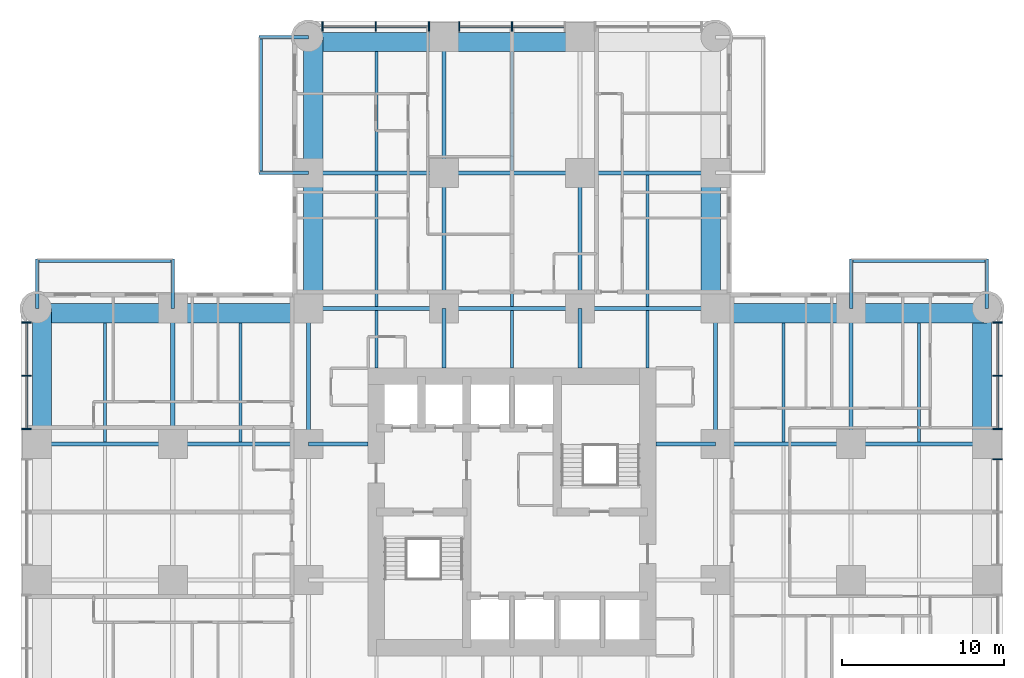
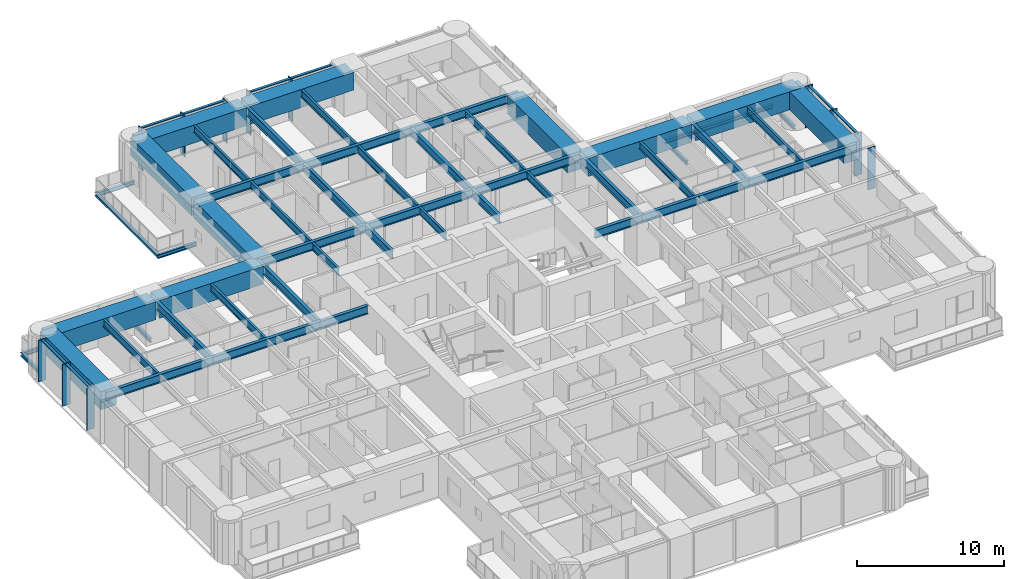
# One storey, part 4 of 17: 53 beams, 20 members, 3 elements without a shape of their own.
"""IFC4 building model written with IfcOpenShell, lengths in metres."""

from ifc_helpers import new_model, si_unit, direction, frame, origin, origin_2d, place, context, subcontext, project, spatial, rectangle, i_section, extrude, material, material_profile, profile_set, type_object, element, aggregate, save


model = new_model("IFC4")

# Units and contexts
model_context = context("Model", 3, precision=1e-05, world=origin(), true_north=direction((0.0, 1.0)))
body_context = subcontext(model_context, "Body", "Model", "MODEL_VIEW")
ifc_project = project(units=[si_unit("LENGTHUNIT", "METRE"), si_unit("AREAUNIT", "SQUARE_METRE"), si_unit("VOLUMEUNIT", "CUBIC_METRE"), si_unit("PLANEANGLEUNIT", "RADIAN"), si_unit("MASSUNIT", "GRAM", prefix="KILO")], contexts=[model_context])

# Site, building, storey
site_placement = place(None, origin())
site = spatial("IfcSite", under=ifc_project, at=site_placement, CompositionType="ELEMENT")
building_placement = place(site_placement, origin())
building = spatial("IfcBuilding", under=site, at=building_placement, Name="Torre Alcanfor", CompositionType="ELEMENT")
storey_placement = place(building_placement, frame((0.0, 0.0, 70.5)))
storey = spatial("IfcBuildingStorey", under=building, at=storey_placement, Name="L17", CompositionType="ELEMENT", Elevation=70.5)

# Beams
ifc_material_1 = material(Name="Steel ASTM A992 Grade 50", Category="steel")
ifc_material_profile_1 = material_profile(ifc_material_1, i_section(OverallWidth=0.205322265625, OverallDepth=0.309814453125, WebThickness=0.00927734375, FlangeThickness=0.016357421875, at=origin_2d()), Name="W12x50")
ifc_profile_set_1 = profile_set([ifc_material_profile_1], Name="Steel ASTM A992 Grade 50")
beam_type_1 = type_object("IfcBeamType", Name="Balcony cantilever beam W12x50", PredefinedType="BEAM", material=ifc_profile_set_1)
for number, where, z_axis, x_axis, name in (
    (1, (16.800048828125, 50.39990234375, -0.35498046875), (-1.0, 0.0, 0.0), (0.0, -1.0, 0.0), "Balcony cantilever beam L17-N1 1"),
    (2, (16.800048828125, 58.800048828125, -0.35498046875), (-1.0, 0.0, 0.0), (0.0, -1.0, 0.0), "Balcony cantilever beam L17-N1 2"),
    (3, (50.39990234375, 42.0, -0.35498046875), (0.0, 1.0, 0.0), (-1.0, 0.0, 0.0), "Balcony cantilever beam L17-E1 1"),
    (4, (58.800048828125, 42.0, -0.35498046875), (0.0, 1.0, 0.0), (-1.0, 0.0, 0.0), "Balcony cantilever beam L17-E1 2"),
    (5, (8.39990234375, 42.0, -0.35498046875), (0.0, 1.0, 0.0), (-1.0, 0.0, 0.0), "Balcony cantilever beam L17-W2 1"),
    (6, (0.0, 42.0, -0.35498046875), (0.0, 1.0, 0.0), (-1.0, 0.0, 0.0), "Balcony cantilever beam L17-W2 2"),
):
    element("IfcBeam", number, at=place(storey_placement, frame(where, z_axis=z_axis, x_axis=x_axis)), inside=storey, type_object=beam_type_1, Name=name, PredefinedType="BEAM", context=body_context, shape_type="SweptSolid", body=[
        extrude(i_section(OverallWidth=0.205322265625, OverallDepth=0.309814453125, WebThickness=0.00927734375, FlangeThickness=0.016357421875, at=origin_2d()), origin(), (0.0, 0.0, 1.0), 3.050048828125),
    ])
ifc_material_2 = material(Name="Steel ASTM A992 Grade 50", Category="steel")
ifc_material_profile_2 = material_profile(ifc_material_2, i_section(OverallWidth=0.203369140625, OverallDepth=0.30224609375, WebThickness=0.007568359375, FlangeThickness=0.01318359375, at=origin_2d()), Name="W12x40")
ifc_profile_set_2 = profile_set([ifc_material_profile_2], Name="Steel ASTM A992 Grade 50")
beam_type_2 = type_object("IfcBeamType", Name="Balcony edge trimmer W12x40", PredefinedType="BEAM", material=ifc_profile_set_2)
for number, where, z_axis, x_axis, name in (
    (7, (13.851806640625, 50.39990234375, -0.35107421875), (0.0, 1.0, 0.0), (-1.0, 0.0, 0.0), "Balcony edge trimmer L17-N1"),
    (8, (50.39990234375, 44.9482421875, -0.35107421875), (1.0, 0.0, 0.0), (0.0, 1.0, 0.0), "Balcony edge trimmer L17-E1"),
):
    element("IfcBeam", number, at=place(storey_placement, frame(where, z_axis=z_axis, x_axis=x_axis)), inside=storey, type_object=beam_type_2, Name=name, PredefinedType="BEAM", context=body_context, shape_type="SweptSolid", body=[
        extrude(i_section(OverallWidth=0.203369140625, OverallDepth=0.30224609375, WebThickness=0.007568359375, FlangeThickness=0.01318359375, at=origin_2d()), origin(), (0.0, 0.0, 1.0), 8.400146484375),
    ])
beam_1_placement = place(storey_placement, frame((8.39990234375, 44.9482421875, -0.35107421875), z_axis=(-1.0, 0.0, 0.0), x_axis=(0.0, -1.0, 0.0)))
element("IfcBeam", 9, at=beam_1_placement, inside=storey, type_object=beam_type_2, Name="Balcony edge trimmer L17-W2", PredefinedType="BEAM", context=body_context, shape_type="SweptSolid", body=[
    extrude(i_section(OverallWidth=0.203369140625, OverallDepth=0.30224609375, WebThickness=0.007568359375, FlangeThickness=0.01318359375, at=origin_2d()), origin(), (0.0, 0.0, 1.0), 8.39990234375),
])

# Curtain wall, members
ifc_material_3 = material(Name="Aluminium and glass", Category="aluminium")
curtain_wall_type = type_object("IfcCurtainWallType", Name="CW-A unitised apartment glazing with vertical FIN", PredefinedType="NOTDEFINED", material=ifc_material_3)
curtain_wall_1_placement = place(storey_placement, origin())
curtain_wall_1 = element("IfcCurtainWall", 10, at=curtain_wall_1_placement, inside=storey, type_object=curtain_wall_type, Name="Curtain wall CW-A L17 2", PredefinedType="NOTDEFINED")
ifc_material_4 = material(Name="Bronze anodised aluminium", Category="aluminium")
ifc_material_profile_3 = material_profile(ifc_material_4, rectangle(XDim=0.60009765625, YDim=0.06494140625, at=origin_2d()), Name="CW-A mullion 65x600")
ifc_profile_set_3 = profile_set([ifc_material_profile_3], Name="Bronze anodised aluminium")
member_type_1 = type_object("IfcMemberType", Name="CW-A mullion with vertical FIN 65x600", PredefinedType="MULLION", material=ifc_profile_set_3)
member_1_placement = place(storey_placement, frame((-0.64990234375, 41.133056640625, 0.0), z_axis=(0.0, 0.0, 1.0), x_axis=(1.0, 0.0, 0.0)))
member_1 = element("IfcMember", 11, at=member_1_placement, type_object=member_type_1, Name="CW-A mullion 1.1", PredefinedType="MULLION", context=body_context, shape_type="SweptSolid", body=[
    extrude(rectangle(XDim=0.60009765625, YDim=0.06494140625, at=origin_2d()), origin(), (0.0, 0.0, 1.0), 3.449951171875),
])
member_2_placement = place(storey_placement, frame((-0.64990234375, 37.835205078125, 0.0), z_axis=(0.0, 0.0, 1.0), x_axis=(1.0, 0.0, 0.0)))
member_2 = element("IfcMember", 12, at=member_2_placement, type_object=member_type_1, Name="CW-A mullion 1.2", PredefinedType="MULLION", context=body_context, shape_type="SweptSolid", body=[
    extrude(rectangle(XDim=0.60009765625, YDim=0.06494140625, at=origin_2d()), origin(), (0.0, 0.0, 1.0), 3.449951171875),
])
member_3_placement = place(storey_placement, frame((-0.64990234375, 34.53759765625, 0.0), z_axis=(0.0, 0.0, 1.0), x_axis=(1.0, 0.0, 0.0)))
member_3 = element("IfcMember", 13, at=member_3_placement, type_object=member_type_1, Name="CW-A mullion 1.3", PredefinedType="MULLION", context=body_context, shape_type="SweptSolid", body=[
    extrude(rectangle(XDim=0.60009765625, YDim=0.06494140625, at=origin_2d()), origin(), (0.0, 0.0, 1.0), 3.449951171875),
])

curtain_wall_2_placement = place(storey_placement, origin())
curtain_wall_2 = element("IfcCurtainWall", 14, at=curtain_wall_2_placement, inside=storey, type_object=curtain_wall_type, Name="Curtain wall CW-A L17 8", PredefinedType="NOTDEFINED")
member_4_placement = place(storey_placement, frame((59.449951171875, 32.66259765625, 0.0), z_axis=(0.0, 0.0, 1.0), x_axis=(-1.0, 0.0, 0.0)))
member_4 = element("IfcMember", 15, at=member_4_placement, type_object=member_type_1, Name="CW-A mullion 2.3", PredefinedType="MULLION", context=body_context, shape_type="SweptSolid", body=[
    extrude(rectangle(XDim=0.60009765625, YDim=0.06494140625, at=origin_2d()), origin(), (0.0, 0.0, 1.0), 3.449951171875),
])
member_5_placement = place(storey_placement, frame((59.449951171875, 34.53759765625, 0.0), z_axis=(0.0, 0.0, 1.0), x_axis=(-1.0, 0.0, 0.0)))
member_5 = element("IfcMember", 16, at=member_5_placement, type_object=member_type_1, Name="CW-A mullion 3.1", PredefinedType="MULLION", context=body_context, shape_type="SweptSolid", body=[
    extrude(rectangle(XDim=0.60009765625, YDim=0.06494140625, at=origin_2d()), origin(), (0.0, 0.0, 1.0), 3.449951171875),
])
member_6_placement = place(storey_placement, frame((59.449951171875, 37.835205078125, 0.0), z_axis=(0.0, 0.0, 1.0), x_axis=(-1.0, 0.0, 0.0)))
member_6 = element("IfcMember", 17, at=member_6_placement, type_object=member_type_1, Name="CW-A mullion 3.2", PredefinedType="MULLION", context=body_context, shape_type="SweptSolid", body=[
    extrude(rectangle(XDim=0.60009765625, YDim=0.06494140625, at=origin_2d()), origin(), (0.0, 0.0, 1.0), 3.449951171875),
])
member_7_placement = place(storey_placement, frame((59.449951171875, 41.133056640625, 0.0), z_axis=(0.0, 0.0, 1.0), x_axis=(-1.0, 0.0, 0.0)))
member_7 = element("IfcMember", 18, at=member_7_placement, type_object=member_type_1, Name="CW-A mullion 3.3", PredefinedType="MULLION", context=body_context, shape_type="SweptSolid", body=[
    extrude(rectangle(XDim=0.60009765625, YDim=0.06494140625, at=origin_2d()), origin(), (0.0, 0.0, 1.0), 3.449951171875),
])

curtain_wall_3_placement = place(storey_placement, origin())
curtain_wall_3 = element("IfcCurtainWall", 19, at=curtain_wall_3_placement, inside=storey, type_object=curtain_wall_type, Name="Curtain wall CW-A L17 11", PredefinedType="NOTDEFINED")
member_8_placement = place(storey_placement, frame((29.39990234375, 59.449951171875, 0.0), z_axis=(0.0, 0.0, 1.0), x_axis=(0.0, -1.0, 0.0)))
member_8 = element("IfcMember", 20, at=member_8_placement, type_object=member_type_1, Name="CW-A mullion 2.2", PredefinedType="MULLION", context=body_context, shape_type="SweptSolid", body=[
    extrude(rectangle(XDim=0.60009765625, YDim=0.06494140625, at=origin_2d()), origin(), (0.0, 0.0, 1.0), 3.449951171875),
])
member_9_placement = place(storey_placement, frame((26.137451171875, 59.449951171875, 0.0), z_axis=(0.0, 0.0, 1.0), x_axis=(0.0, -1.0, 0.0)))
member_9 = element("IfcMember", 21, at=member_9_placement, type_object=member_type_1, Name="CW-A mullion 2.3", PredefinedType="MULLION", context=body_context, shape_type="SweptSolid", body=[
    extrude(rectangle(XDim=0.60009765625, YDim=0.06494140625, at=origin_2d()), origin(), (0.0, 0.0, 1.0), 3.449951171875),
])
member_10_placement = place(storey_placement, frame((24.262451171875, 59.449951171875, 0.0), z_axis=(0.0, 0.0, 1.0), x_axis=(0.0, -1.0, 0.0)))
member_10 = element("IfcMember", 22, at=member_10_placement, type_object=member_type_1, Name="CW-A mullion 3.1", PredefinedType="MULLION", context=body_context, shape_type="SweptSolid", body=[
    extrude(rectangle(XDim=0.60009765625, YDim=0.06494140625, at=origin_2d()), origin(), (0.0, 0.0, 1.0), 3.449951171875),
])
member_11_placement = place(storey_placement, frame((20.96484375, 59.449951171875, 0.0), z_axis=(0.0, 0.0, 1.0), x_axis=(0.0, -1.0, 0.0)))
member_11 = element("IfcMember", 23, at=member_11_placement, type_object=member_type_1, Name="CW-A mullion 3.2", PredefinedType="MULLION", context=body_context, shape_type="SweptSolid", body=[
    extrude(rectangle(XDim=0.60009765625, YDim=0.06494140625, at=origin_2d()), origin(), (0.0, 0.0, 1.0), 3.449951171875),
])
member_12_placement = place(storey_placement, frame((17.6669921875, 59.449951171875, 0.0), z_axis=(0.0, 0.0, 1.0), x_axis=(0.0, -1.0, 0.0)))
member_12 = element("IfcMember", 24, at=member_12_placement, type_object=member_type_1, Name="CW-A mullion 3.3", PredefinedType="MULLION", context=body_context, shape_type="SweptSolid", body=[
    extrude(rectangle(XDim=0.60009765625, YDim=0.06494140625, at=origin_2d()), origin(), (0.0, 0.0, 1.0), 3.449951171875),
])

# Member
ifc_material_5 = material(Name="Extruded aluminium", Category="aluminium")
ifc_material_profile_4 = material_profile(ifc_material_5, rectangle(XDim=0.199951171875, YDim=0.06494140625, at=origin_2d()), Name="CW-A transom 200x65")
ifc_profile_set_4 = profile_set([ifc_material_profile_4], Name="Extruded aluminium")
member_type_2 = type_object("IfcMemberType", Name="CW-A transom 65x200", PredefinedType="USERDEFINED", material=ifc_profile_set_4)
member_13_placement = place(storey_placement, frame((-0.64990234375, 41.1005859375, 3.41748046875), z_axis=(0.0, -1.0, 0.0), x_axis=(1.0, 0.0, 0.0)))
member_13 = element("IfcMember", 25, at=member_13_placement, type_object=member_type_2, Name="CW-A transom 1.1.2", ObjectType="TRANSOM", PredefinedType="USERDEFINED", context=body_context, shape_type="SweptSolid", body=[
    extrude(rectangle(XDim=0.199951171875, YDim=0.06494140625, at=origin_2d()), origin(), (0.0, 0.0, 1.0), 3.23291015625),
])

member_14_placement = place(storey_placement, frame((-0.64990234375, 37.802734375, 3.41748046875), z_axis=(0.0, -1.0, 0.0), x_axis=(1.0, 0.0, 0.0)))
member_14 = element("IfcMember", 26, at=member_14_placement, type_object=member_type_2, Name="CW-A transom 1.2.2", ObjectType="TRANSOM", PredefinedType="USERDEFINED", context=body_context, shape_type="SweptSolid", body=[
    extrude(rectangle(XDim=0.199951171875, YDim=0.06494140625, at=origin_2d()), origin(), (0.0, 0.0, 1.0), 3.232666015625),
])

aggregate(curtain_wall_1, [member_1, member_2, member_3, member_13, member_14])

member_15_placement = place(storey_placement, frame((59.449951171875, 34.570068359375, 3.41748046875), z_axis=(0.0, 1.0, 0.0), x_axis=(-1.0, 0.0, 0.0)))
member_15 = element("IfcMember", 27, at=member_15_placement, type_object=member_type_2, Name="CW-A transom 3.1.2", ObjectType="TRANSOM", PredefinedType="USERDEFINED", context=body_context, shape_type="SweptSolid", body=[
    extrude(rectangle(XDim=0.199951171875, YDim=0.06494140625, at=origin_2d()), origin(), (0.0, 0.0, 1.0), 3.232666015625),
])

member_16_placement = place(storey_placement, frame((59.449951171875, 37.86767578125, 3.41748046875), z_axis=(0.0, 1.0, 0.0), x_axis=(-1.0, 0.0, 0.0)))
member_16 = element("IfcMember", 28, at=member_16_placement, type_object=member_type_2, Name="CW-A transom 3.2.2", ObjectType="TRANSOM", PredefinedType="USERDEFINED", context=body_context, shape_type="SweptSolid", body=[
    extrude(rectangle(XDim=0.199951171875, YDim=0.06494140625, at=origin_2d()), origin(), (0.0, 0.0, 1.0), 3.23291015625),
])

aggregate(curtain_wall_2, [member_4, member_5, member_6, member_7, member_15, member_16])

member_17_placement = place(storey_placement, frame((32.6298828125, 59.449951171875, 3.41748046875), z_axis=(-1.0, 0.0, 0.0), x_axis=(0.0, -1.0, 0.0)))
member_17 = element("IfcMember", 29, at=member_17_placement, type_object=member_type_2, Name="CW-A transom 2.1.2", ObjectType="TRANSOM", PredefinedType="USERDEFINED", context=body_context, shape_type="SweptSolid", body=[
    extrude(rectangle(XDim=0.199951171875, YDim=0.06494140625, at=origin_2d()), origin(), (0.0, 0.0, 1.0), 3.197265625),
])

member_18_placement = place(storey_placement, frame((29.367431640625, 59.449951171875, 3.41748046875), z_axis=(-1.0, 0.0, 0.0), x_axis=(0.0, -1.0, 0.0)))
member_18 = element("IfcMember", 30, at=member_18_placement, type_object=member_type_2, Name="CW-A transom 2.2.2", ObjectType="TRANSOM", PredefinedType="USERDEFINED", context=body_context, shape_type="SweptSolid", body=[
    extrude(rectangle(XDim=0.199951171875, YDim=0.06494140625, at=origin_2d()), origin(), (0.0, 0.0, 1.0), 3.197509765625),
])

member_19_placement = place(storey_placement, frame((24.22998046875, 59.449951171875, 3.41748046875), z_axis=(-1.0, 0.0, 0.0), x_axis=(0.0, -1.0, 0.0)))
member_19 = element("IfcMember", 31, at=member_19_placement, type_object=member_type_2, Name="CW-A transom 3.1.2", ObjectType="TRANSOM", PredefinedType="USERDEFINED", context=body_context, shape_type="SweptSolid", body=[
    extrude(rectangle(XDim=0.199951171875, YDim=0.06494140625, at=origin_2d()), origin(), (0.0, 0.0, 1.0), 3.232666015625),
])

member_20_placement = place(storey_placement, frame((20.93212890625, 59.449951171875, 3.41748046875), z_axis=(-1.0, 0.0, 0.0), x_axis=(0.0, -1.0, 0.0)))
member_20 = element("IfcMember", 32, at=member_20_placement, type_object=member_type_2, Name="CW-A transom 3.2.2", ObjectType="TRANSOM", PredefinedType="USERDEFINED", context=body_context, shape_type="SweptSolid", body=[
    extrude(rectangle(XDim=0.199951171875, YDim=0.06494140625, at=origin_2d()), origin(), (0.0, 0.0, 1.0), 3.232666015625),
])

aggregate(curtain_wall_3, [member_8, member_9, member_17, member_18, member_10, member_11, member_12, member_19, member_20])

# Beams
ifc_material_6 = material(Name="Steel ASTM A992 Grade 50", Category="steel")
ifc_material_profile_5 = material_profile(ifc_material_6, i_section(OverallWidth=0.25390625, OverallDepth=0.683349609375, WebThickness=0.012451171875, FlangeThickness=0.01904296875, at=origin_2d()), Name="W27x94")
ifc_profile_set_5 = profile_set([ifc_material_profile_5], Name="Steel ASTM A992 Grade 50")
beam_type_3 = type_object("IfcBeamType", Name="Girder W27x94", PredefinedType="BEAM", material=ifc_profile_set_5)
beam_2_placement = place(storey_placement, frame((0.0, 33.60009765625, 3.1083984375), z_axis=(1.0, 0.0, 0.0), x_axis=(0.0, 1.0, 0.0)))
element("IfcBeam", 33, at=beam_2_placement, inside=storey, type_object=beam_type_3, Name="Beam 1G-2G under L18", PredefinedType="BEAM", context=body_context, shape_type="SweptSolid", body=[
    extrude(i_section(OverallWidth=0.25390625, OverallDepth=0.683349609375, WebThickness=0.012451171875, FlangeThickness=0.01904296875, at=origin_2d()), origin(), (0.0, 0.0, 1.0), 8.39990234375),
])
beam_3_placement = place(storey_placement, frame((8.39990234375, 33.60009765625, 3.1083984375), z_axis=(1.0, 0.0, 0.0), x_axis=(0.0, 1.0, 0.0)))
element("IfcBeam", 34, at=beam_3_placement, inside=storey, type_object=beam_type_3, Name="Beam 2G-3G under L18", PredefinedType="BEAM", context=body_context, shape_type="SweptSolid", body=[
    extrude(i_section(OverallWidth=0.25390625, OverallDepth=0.683349609375, WebThickness=0.012451171875, FlangeThickness=0.01904296875, at=origin_2d()), origin(), (0.0, 0.0, 1.0), 8.400146484375),
])
beam_4_placement = place(storey_placement, frame((42.0, 33.60009765625, 3.1083984375), z_axis=(1.0, 0.0, 0.0), x_axis=(0.0, 1.0, 0.0)))
element("IfcBeam", 35, at=beam_4_placement, inside=storey, type_object=beam_type_3, Name="Beam 6G-7G under L18", PredefinedType="BEAM", context=body_context, shape_type="SweptSolid", body=[
    extrude(i_section(OverallWidth=0.25390625, OverallDepth=0.683349609375, WebThickness=0.012451171875, FlangeThickness=0.01904296875, at=origin_2d()), origin(), (0.0, 0.0, 1.0), 8.39990234375),
])
beam_5_placement = place(storey_placement, frame((50.39990234375, 33.60009765625, 3.1083984375), z_axis=(1.0, 0.0, 0.0), x_axis=(0.0, 1.0, 0.0)))
element("IfcBeam", 36, at=beam_5_placement, inside=storey, type_object=beam_type_3, Name="Beam 7G-8G under L18", PredefinedType="BEAM", context=body_context, shape_type="SweptSolid", body=[
    extrude(i_section(OverallWidth=0.25390625, OverallDepth=0.683349609375, WebThickness=0.012451171875, FlangeThickness=0.01904296875, at=origin_2d()), origin(), (0.0, 0.0, 1.0), 8.400146484375),
])
beam_6_placement = place(storey_placement, frame((16.800048828125, 42.0, 3.1083984375), z_axis=(1.0, 0.0, 0.0), x_axis=(0.0, 1.0, 0.0)))
element("IfcBeam", 37, at=beam_6_placement, inside=storey, type_object=beam_type_3, Name="Beam 3H-4H under L18", PredefinedType="BEAM", context=body_context, shape_type="SweptSolid", body=[
    extrude(i_section(OverallWidth=0.25390625, OverallDepth=0.683349609375, WebThickness=0.012451171875, FlangeThickness=0.01904296875, at=origin_2d()), origin(), (0.0, 0.0, 1.0), 8.39990234375),
])
beam_7_placement = place(storey_placement, frame((25.199951171875, 42.0, 3.1083984375), z_axis=(1.0, 0.0, 0.0), x_axis=(0.0, 1.0, 0.0)))
element("IfcBeam", 38, at=beam_7_placement, inside=storey, type_object=beam_type_3, Name="Beam 4H-5H under L18", PredefinedType="BEAM", context=body_context, shape_type="SweptSolid", body=[
    extrude(i_section(OverallWidth=0.25390625, OverallDepth=0.683349609375, WebThickness=0.012451171875, FlangeThickness=0.01904296875, at=origin_2d()), origin(), (0.0, 0.0, 1.0), 8.400146484375),
])
for number, where, z_axis, x_axis, name in (
    (39, (33.60009765625, 42.0, 3.1083984375), (1.0, 0.0, 0.0), (0.0, 1.0, 0.0), "Beam 5H-6H under L18"),
    (40, (16.800048828125, 50.39990234375, 3.1083984375), (1.0, 0.0, 0.0), (0.0, 1.0, 0.0), "Beam 3J-4J under L18"),
):
    element("IfcBeam", number, at=place(storey_placement, frame(where, z_axis=z_axis, x_axis=x_axis)), inside=storey, type_object=beam_type_3, Name=name, PredefinedType="BEAM", context=body_context, shape_type="SweptSolid", body=[
        extrude(i_section(OverallWidth=0.25390625, OverallDepth=0.683349609375, WebThickness=0.012451171875, FlangeThickness=0.01904296875, at=origin_2d()), origin(), (0.0, 0.0, 1.0), 8.39990234375),
    ])
beam_8_placement = place(storey_placement, frame((25.199951171875, 50.39990234375, 3.1083984375), z_axis=(1.0, 0.0, 0.0), x_axis=(0.0, 1.0, 0.0)))
element("IfcBeam", 41, at=beam_8_placement, inside=storey, type_object=beam_type_3, Name="Beam 4J-5J under L18", PredefinedType="BEAM", context=body_context, shape_type="SweptSolid", body=[
    extrude(i_section(OverallWidth=0.25390625, OverallDepth=0.683349609375, WebThickness=0.012451171875, FlangeThickness=0.01904296875, at=origin_2d()), origin(), (0.0, 0.0, 1.0), 8.400146484375),
])
for number, where, z_axis, x_axis, name in (
    (42, (33.60009765625, 50.39990234375, 3.1083984375), (1.0, 0.0, 0.0), (0.0, 1.0, 0.0), "Beam 5J-6J under L18"),
    (43, (8.39990234375, 33.60009765625, 3.1083984375), (0.0, 1.0, 0.0), (-1.0, 0.0, 0.0), "Beam 2G-2H under L18"),
    (44, (16.800048828125, 33.60009765625, 3.1083984375), (0.0, 1.0, 0.0), (-1.0, 0.0, 0.0), "Beam 3G-3H under L18"),
    (45, (25.199951171875, 42.0, 3.1083984375), (0.0, 1.0, 0.0), (-1.0, 0.0, 0.0), "Beam 4H-4J under L18"),
):
    element("IfcBeam", number, at=place(storey_placement, frame(where, z_axis=z_axis, x_axis=x_axis)), inside=storey, type_object=beam_type_3, Name=name, PredefinedType="BEAM", context=body_context, shape_type="SweptSolid", body=[
        extrude(i_section(OverallWidth=0.25390625, OverallDepth=0.683349609375, WebThickness=0.012451171875, FlangeThickness=0.01904296875, at=origin_2d()), origin(), (0.0, 0.0, 1.0), 8.39990234375),
    ])
beam_9_placement = place(storey_placement, frame((25.199951171875, 50.39990234375, 3.1083984375), z_axis=(0.0, 1.0, 0.0), x_axis=(-1.0, 0.0, 0.0)))
element("IfcBeam", 46, at=beam_9_placement, inside=storey, type_object=beam_type_3, Name="Beam 4J-4K under L18", PredefinedType="BEAM", context=body_context, shape_type="SweptSolid", body=[
    extrude(i_section(OverallWidth=0.25390625, OverallDepth=0.683349609375, WebThickness=0.012451171875, FlangeThickness=0.01904296875, at=origin_2d()), origin(), (0.0, 0.0, 1.0), 8.400146484375),
])
for number, where, z_axis, x_axis, name in (
    (47, (33.60009765625, 42.0, 3.1083984375), (0.0, 1.0, 0.0), (-1.0, 0.0, 0.0), "Beam 5H-5J under L18"),
    (48, (42.0, 33.60009765625, 3.1083984375), (0.0, 1.0, 0.0), (-1.0, 0.0, 0.0), "Beam 6G-6H under L18"),
    (49, (50.39990234375, 33.60009765625, 3.1083984375), (0.0, 1.0, 0.0), (-1.0, 0.0, 0.0), "Beam 7G-7H under L18"),
):
    element("IfcBeam", number, at=place(storey_placement, frame(where, z_axis=z_axis, x_axis=x_axis)), inside=storey, type_object=beam_type_3, Name=name, PredefinedType="BEAM", context=body_context, shape_type="SweptSolid", body=[
        extrude(i_section(OverallWidth=0.25390625, OverallDepth=0.683349609375, WebThickness=0.012451171875, FlangeThickness=0.01904296875, at=origin_2d()), origin(), (0.0, 0.0, 1.0), 8.39990234375),
    ])
ifc_material_7 = material(Name="Steel ASTM A992 Grade 50", Category="steel")
ifc_material_profile_6 = material_profile(ifc_material_7, i_section(OverallWidth=0.25390625, OverallDepth=0.683349609375, WebThickness=0.012451171875, FlangeThickness=0.01904296875, at=origin_2d()), Name="W27x94")
ifc_profile_set_6 = profile_set([ifc_material_profile_6], Name="Steel ASTM A992 Grade 50")
beam_type_4 = type_object("IfcBeamType", Name="Girder, part bay W27x94", PredefinedType="BEAM", material=ifc_profile_set_6)
for number, where, z_axis, x_axis, name in (
    (50, (25.199951171875, 42.0, 3.1083984375), (0.0, -1.0, 0.0), (1.0, 0.0, 0.0), "Beam 4H-438_3 under L18"),
    (51, (33.60009765625, 42.0, 3.1083984375), (0.0, -1.0, 0.0), (1.0, 0.0, 0.0), "Beam 5H-538_3 under L18"),
    (52, (16.800048828125, 33.60009765625, 3.1083984375), (1.0, 0.0, 0.0), (0.0, 1.0, 0.0), "Beam 3G-20_5G under L18"),
    (53, (42.0, 33.60009765625, 3.1083984375), (-1.0, 0.0, 0.0), (0.0, -1.0, 0.0), "Beam 6G-38_3G under L18"),
):
    element("IfcBeam", number, at=place(storey_placement, frame(where, z_axis=z_axis, x_axis=x_axis)), inside=storey, type_object=beam_type_4, Name=name, PredefinedType="BEAM", context=body_context, shape_type="SweptSolid", body=[
        extrude(i_section(OverallWidth=0.25390625, OverallDepth=0.683349609375, WebThickness=0.012451171875, FlangeThickness=0.01904296875, at=origin_2d()), origin(), (0.0, 0.0, 1.0), 3.699951171875),
    ])
ifc_material_8 = material(Name="Concrete f'c 70 MPa", Category="concrete")
ifc_material_profile_7 = material_profile(ifc_material_8, rectangle(XDim=1.199951171875, YDim=1.5, at=origin_2d()), Name="1200x1500")
ifc_profile_set_7 = profile_set([ifc_material_profile_7], Name="Concrete f'c 70 MPa")
beam_type_5 = type_object("IfcBeamType", Name="RC perimeter beam 1200x1500", PredefinedType="BEAM", material=ifc_profile_set_7)
beam_10_placement = place(storey_placement, frame((0.0, 41.699951171875, 2.699951171875), z_axis=(1.0, 0.0, 0.0), x_axis=(0.0, 1.0, 0.0)))
element("IfcBeam", 54, at=beam_10_placement, inside=storey, type_object=beam_type_5, Name="Beam 1H-2H under L18", PredefinedType="BEAM", context=body_context, shape_type="SweptSolid", body=[
    extrude(rectangle(XDim=1.199951171875, YDim=1.5, at=origin_2d()), origin(), (0.0, 0.0, 1.0), 8.27294921875),
])
for number, where, z_axis, x_axis, name in (
    (55, (8.527099609375, 41.699951171875, 2.699951171875), (1.0, 0.0, 0.0), (0.0, 1.0, 0.0), "Beam 2H-3H under L18"),
    (56, (42.126953125, 41.699951171875, 2.699951171875), (1.0, 0.0, 0.0), (0.0, 1.0, 0.0), "Beam 6H-7H under L18"),
):
    element("IfcBeam", number, at=place(storey_placement, frame(where, z_axis=z_axis, x_axis=x_axis)), inside=storey, type_object=beam_type_5, Name=name, PredefinedType="BEAM", context=body_context, shape_type="SweptSolid", body=[
        extrude(rectangle(XDim=1.199951171875, YDim=1.5, at=origin_2d()), origin(), (0.0, 0.0, 1.0), 8.14599609375),
    ])
for number, where, z_axis, x_axis, name in (
    (57, (50.527099609375, 41.699951171875, 2.699951171875), (1.0, 0.0, 0.0), (0.0, 1.0, 0.0), "Beam 7H-8H under L18"),
    (58, (16.800048828125, 58.5, 2.699951171875), (1.0, 0.0, 0.0), (0.0, 1.0, 0.0), "Beam 3K-4K under L18"),
):
    element("IfcBeam", number, at=place(storey_placement, frame(where, z_axis=z_axis, x_axis=x_axis)), inside=storey, type_object=beam_type_5, Name=name, PredefinedType="BEAM", context=body_context, shape_type="SweptSolid", body=[
        extrude(rectangle(XDim=1.199951171875, YDim=1.5, at=origin_2d()), origin(), (0.0, 0.0, 1.0), 8.27294921875),
    ])
beam_11_placement = place(storey_placement, frame((25.326904296875, 58.5, 2.699951171875), z_axis=(1.0, 0.0, 0.0), x_axis=(0.0, 1.0, 0.0)))
element("IfcBeam", 59, at=beam_11_placement, inside=storey, type_object=beam_type_5, Name="Beam 4K-5K under L18", PredefinedType="BEAM", context=body_context, shape_type="SweptSolid", body=[
    extrude(rectangle(XDim=1.199951171875, YDim=1.5, at=origin_2d()), origin(), (0.0, 0.0, 1.0), 8.14599609375),
])
beam_12_placement = place(storey_placement, frame((0.300048828125, 33.72705078125, 2.699951171875), z_axis=(0.0, 1.0, 0.0), x_axis=(-1.0, 0.0, 0.0)))
element("IfcBeam", 60, at=beam_12_placement, inside=storey, type_object=beam_type_5, Name="Beam 1G-1H under L18", PredefinedType="BEAM", context=body_context, shape_type="SweptSolid", body=[
    extrude(rectangle(XDim=1.199951171875, YDim=1.5, at=origin_2d()), origin(), (0.0, 0.0, 1.0), 8.27294921875),
])
beam_13_placement = place(storey_placement, frame((17.10009765625, 42.126953125, 2.699951171875), z_axis=(0.0, 1.0, 0.0), x_axis=(-1.0, 0.0, 0.0)))
element("IfcBeam", 61, at=beam_13_placement, inside=storey, type_object=beam_type_5, Name="Beam 3H-3J under L18", PredefinedType="BEAM", context=body_context, shape_type="SweptSolid", body=[
    extrude(rectangle(XDim=1.199951171875, YDim=1.5, at=origin_2d()), origin(), (0.0, 0.0, 1.0), 8.14599609375),
])
beam_14_placement = place(storey_placement, frame((17.10009765625, 50.527099609375, 2.699951171875), z_axis=(0.0, 1.0, 0.0), x_axis=(-1.0, 0.0, 0.0)))
element("IfcBeam", 62, at=beam_14_placement, inside=storey, type_object=beam_type_5, Name="Beam 3J-3K under L18", PredefinedType="BEAM", context=body_context, shape_type="SweptSolid", body=[
    extrude(rectangle(XDim=1.199951171875, YDim=1.5, at=origin_2d()), origin(), (0.0, 0.0, 1.0), 8.27294921875),
])
beam_15_placement = place(storey_placement, frame((41.699951171875, 42.126953125, 2.699951171875), z_axis=(0.0, 1.0, 0.0), x_axis=(-1.0, 0.0, 0.0)))
element("IfcBeam", 63, at=beam_15_placement, inside=storey, type_object=beam_type_5, Name="Beam 6H-6J under L18", PredefinedType="BEAM", context=body_context, shape_type="SweptSolid", body=[
    extrude(rectangle(XDim=1.199951171875, YDim=1.5, at=origin_2d()), origin(), (0.0, 0.0, 1.0), 8.14599609375),
])
beam_16_placement = place(storey_placement, frame((58.5, 33.72705078125, 2.699951171875), z_axis=(0.0, 1.0, 0.0), x_axis=(-1.0, 0.0, 0.0)))
element("IfcBeam", 64, at=beam_16_placement, inside=storey, type_object=beam_type_5, Name="Beam 8G-8H under L18", PredefinedType="BEAM", context=body_context, shape_type="SweptSolid", body=[
    extrude(rectangle(XDim=1.199951171875, YDim=1.5, at=origin_2d()), origin(), (0.0, 0.0, 1.0), 8.27294921875),
])
ifc_material_9 = material(Name="Steel ASTM A992 Grade 50", Category="steel")
ifc_material_profile_8 = material_profile(ifc_material_9, i_section(OverallWidth=0.1787109375, OverallDepth=0.60205078125, WebThickness=0.010986328125, FlangeThickness=0.014892578125, at=origin_2d()), Name="W24x62")
ifc_profile_set_8 = profile_set([ifc_material_profile_8], Name="Steel ASTM A992 Grade 50")
beam_type_6 = type_object("IfcBeamType", Name="Secondary beam W24x62", PredefinedType="BEAM", material=ifc_profile_set_8)
for number, where, z_axis, x_axis, name in (
    (65, (4.199951171875, 33.72705078125, 3.14892578125), (0.0, 1.0, 0.0), (-1.0, 0.0, 0.0), "Beam 4_2G-4_2H under L18"),
    (66, (12.60009765625, 33.72705078125, 3.14892578125), (0.0, 1.0, 0.0), (-1.0, 0.0, 0.0), "Beam 12_6G-12_6H under L18"),
):
    element("IfcBeam", number, at=place(storey_placement, frame(where, z_axis=z_axis, x_axis=x_axis)), inside=storey, type_object=beam_type_6, Name=name, PredefinedType="BEAM", context=body_context, shape_type="SweptSolid", body=[
        extrude(i_section(OverallWidth=0.1787109375, OverallDepth=0.60205078125, WebThickness=0.010986328125, FlangeThickness=0.014892578125, at=origin_2d()), origin(), (0.0, 0.0, 1.0), 7.373046875),
    ])
beam_17_placement = place(storey_placement, frame((21.0, 42.126953125, 3.14892578125), z_axis=(0.0, 1.0, 0.0), x_axis=(-1.0, 0.0, 0.0)))
element("IfcBeam", 67, at=beam_17_placement, inside=storey, type_object=beam_type_6, Name="Beam 21H-21J under L18", PredefinedType="BEAM", context=body_context, shape_type="SweptSolid", body=[
    extrude(i_section(OverallWidth=0.1787109375, OverallDepth=0.60205078125, WebThickness=0.010986328125, FlangeThickness=0.014892578125, at=origin_2d()), origin(), (0.0, 0.0, 1.0), 8.14599609375),
])
beam_18_placement = place(storey_placement, frame((21.0, 50.527099609375, 3.14892578125), z_axis=(0.0, 1.0, 0.0), x_axis=(-1.0, 0.0, 0.0)))
element("IfcBeam", 68, at=beam_18_placement, inside=storey, type_object=beam_type_6, Name="Beam 21J-21K under L18", PredefinedType="BEAM", context=body_context, shape_type="SweptSolid", body=[
    extrude(i_section(OverallWidth=0.1787109375, OverallDepth=0.60205078125, WebThickness=0.010986328125, FlangeThickness=0.014892578125, at=origin_2d()), origin(), (0.0, 0.0, 1.0), 7.372802734375),
])
beam_19_placement = place(storey_placement, frame((29.39990234375, 42.126953125, 3.14892578125), z_axis=(0.0, 1.0, 0.0), x_axis=(-1.0, 0.0, 0.0)))
element("IfcBeam", 69, at=beam_19_placement, inside=storey, type_object=beam_type_6, Name="Beam 29_4H-29_4J under L18", PredefinedType="BEAM", context=body_context, shape_type="SweptSolid", body=[
    extrude(i_section(OverallWidth=0.1787109375, OverallDepth=0.60205078125, WebThickness=0.010986328125, FlangeThickness=0.014892578125, at=origin_2d()), origin(), (0.0, 0.0, 1.0), 8.14599609375),
])
beam_20_placement = place(storey_placement, frame((29.39990234375, 50.527099609375, 3.14892578125), z_axis=(0.0, 1.0, 0.0), x_axis=(-1.0, 0.0, 0.0)))
element("IfcBeam", 70, at=beam_20_placement, inside=storey, type_object=beam_type_6, Name="Beam 29_4J-29_4K under L18", PredefinedType="BEAM", context=body_context, shape_type="SweptSolid", body=[
    extrude(i_section(OverallWidth=0.1787109375, OverallDepth=0.60205078125, WebThickness=0.010986328125, FlangeThickness=0.014892578125, at=origin_2d()), origin(), (0.0, 0.0, 1.0), 7.372802734375),
])
beam_21_placement = place(storey_placement, frame((37.800048828125, 42.126953125, 3.14892578125), z_axis=(0.0, 1.0, 0.0), x_axis=(-1.0, 0.0, 0.0)))
element("IfcBeam", 71, at=beam_21_placement, inside=storey, type_object=beam_type_6, Name="Beam 37_8H-37_8J under L18", PredefinedType="BEAM", context=body_context, shape_type="SweptSolid", body=[
    extrude(i_section(OverallWidth=0.1787109375, OverallDepth=0.60205078125, WebThickness=0.010986328125, FlangeThickness=0.014892578125, at=origin_2d()), origin(), (0.0, 0.0, 1.0), 8.14599609375),
])
for number, where, z_axis, x_axis, name in (
    (72, (46.199951171875, 33.72705078125, 3.14892578125), (0.0, 1.0, 0.0), (-1.0, 0.0, 0.0), "Beam 46_2G-46_2H under L18"),
    (73, (54.60009765625, 33.72705078125, 3.14892578125), (0.0, 1.0, 0.0), (-1.0, 0.0, 0.0), "Beam 54_6G-54_6H under L18"),
):
    element("IfcBeam", number, at=place(storey_placement, frame(where, z_axis=z_axis, x_axis=x_axis)), inside=storey, type_object=beam_type_6, Name=name, PredefinedType="BEAM", context=body_context, shape_type="SweptSolid", body=[
        extrude(i_section(OverallWidth=0.1787109375, OverallDepth=0.60205078125, WebThickness=0.010986328125, FlangeThickness=0.014892578125, at=origin_2d()), origin(), (0.0, 0.0, 1.0), 7.373046875),
    ])
ifc_material_10 = material(Name="Steel ASTM A992 Grade 50", Category="steel")
ifc_material_profile_9 = material_profile(ifc_material_10, i_section(OverallWidth=0.1787109375, OverallDepth=0.60205078125, WebThickness=0.010986328125, FlangeThickness=0.014892578125, at=origin_2d()), Name="W24x62")
ifc_profile_set_9 = profile_set([ifc_material_profile_9], Name="Steel ASTM A992 Grade 50")
beam_type_7 = type_object("IfcBeamType", Name="Secondary beam, part bay W24x62", PredefinedType="BEAM", material=ifc_profile_set_9)
for number, where, z_axis, x_axis, name in (
    (74, (21.0, 38.300048828125, 3.14892578125), (0.0, 1.0, 0.0), (-1.0, 0.0, 0.0), "Beam 2138_3-21H under L18"),
    (75, (29.39990234375, 38.300048828125, 3.14892578125), (0.0, 1.0, 0.0), (-1.0, 0.0, 0.0), "Beam 29_438_3-29_4H under L18"),
    (76, (37.800048828125, 38.300048828125, 3.14892578125), (0.0, 1.0, 0.0), (-1.0, 0.0, 0.0), "Beam 37_838_3-37_8H under L18"),
):
    element("IfcBeam", number, at=place(storey_placement, frame(where, z_axis=z_axis, x_axis=x_axis)), inside=storey, type_object=beam_type_7, Name=name, PredefinedType="BEAM", context=body_context, shape_type="SweptSolid", body=[
        extrude(i_section(OverallWidth=0.1787109375, OverallDepth=0.60205078125, WebThickness=0.010986328125, FlangeThickness=0.014892578125, at=origin_2d()), origin(), (0.0, 0.0, 1.0), 3.572998046875),
    ])

save(model, "model.ifc")
